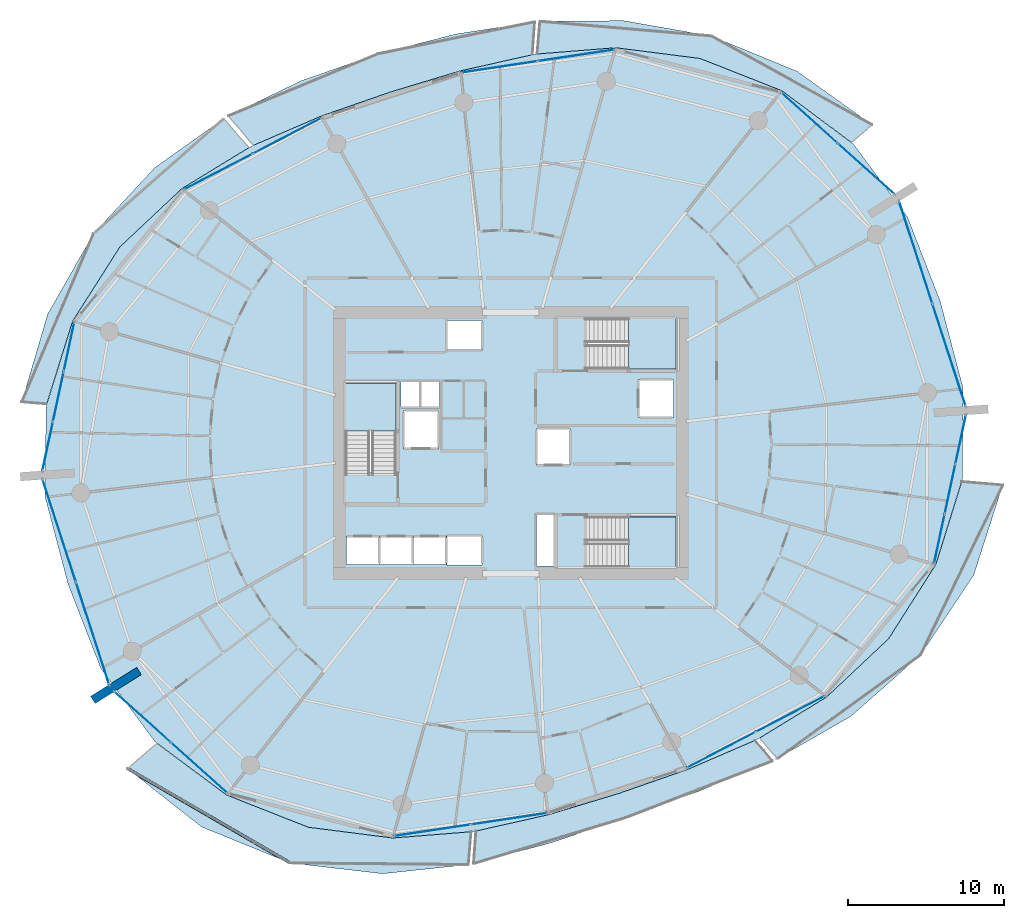
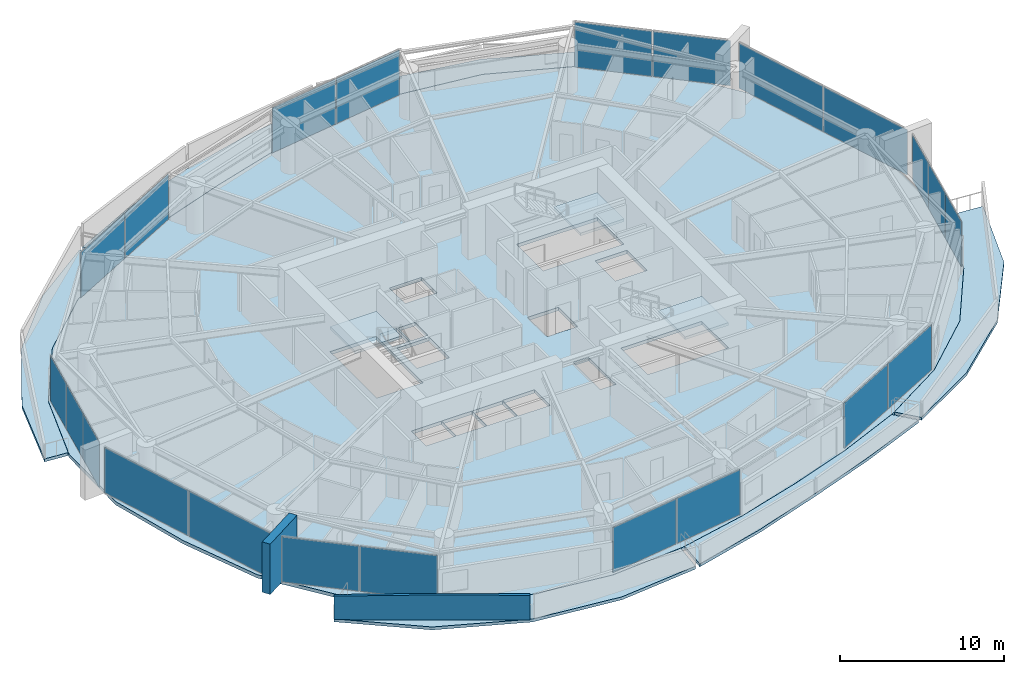
# One storey, part 10 of 23: 22 plates, 10 slabs, 2 walls, 13 elements without a shape of their own.
"""IFC4 building model written with IfcOpenShell, lengths in metres."""

from ifc_helpers import new_model, si_unit, direction, frame, frame_2d, origin, origin_2d, place, context, subcontext, project, spatial, polyline, rectangle, outline, extrude, material, layer, layer_set, type_object, element, aggregate, save


model = new_model("IFC4")

# Units and contexts
model_context = context("Model", 3, precision=1e-05, world=origin(), true_north=direction((0.0, 1.0)))
body_context = subcontext(model_context, "Body", "Model", "MODEL_VIEW")
ifc_project = project(units=[si_unit("LENGTHUNIT", "METRE"), si_unit("AREAUNIT", "SQUARE_METRE"), si_unit("VOLUMEUNIT", "CUBIC_METRE"), si_unit("PLANEANGLEUNIT", "RADIAN"), si_unit("MASSUNIT", "GRAM", prefix="KILO")], contexts=[model_context])

# Site, building, storey
site_placement = place(None, origin())
site = spatial("IfcSite", under=ifc_project, at=site_placement, CompositionType="ELEMENT")
building_placement = place(site_placement, origin())
building = spatial("IfcBuilding", under=site, at=building_placement, Name="Kazma Halo Residences", CompositionType="ELEMENT")
storey_placement = place(building_placement, frame((0.0, 0.0, 86.39990234375)))
storey = spatial("IfcBuildingStorey", under=building, at=storey_placement, Name="L21", CompositionType="ELEMENT", Elevation=86.39990234375)

# Curtain wall, plates
ifc_material_1 = material(Name="Aluminium AW-6063 T6 and Triple-Silver Low-E Glass", Category="aluminium")
ifc_layer_1 = layer(ifc_material_1, 0.199951171875)
ifc_layer_set_1 = layer_set([ifc_layer_1], Name="Aluminium AW-6063 T6 and Triple-Silver Low-E Glass")
curtain_wall_type = type_object("IfcCurtainWallType", Name="CW-SYS-3", PredefinedType="NOTDEFINED", material=ifc_layer_set_1)
curtain_wall_1_placement = place(storey_placement, origin())
curtain_wall_1 = element("IfcCurtainWall", 1, at=curtain_wall_1_placement, inside=storey, type_object=curtain_wall_type, Name="L21 unitised curtain wall B01", PredefinedType="NOTDEFINED")
ifc_material_2 = material(Name="Clear Triple-Silver Low-E Glass IGU", Category="glass")
ifc_layer_2 = layer(ifc_material_2, 0.030029296875)
ifc_layer_set_2 = layer_set([ifc_layer_2], Name="Clear Triple-Silver Low-E Glass IGU")
plate_type = type_object("IfcPlateType", Name="CW-SYS-3-PNL", PredefinedType="CURTAIN_PANEL", material=ifc_layer_set_2)
plate_1_placement = place(storey_placement, frame((71.251220703125, 59.614013671875, 0.06982421875), z_axis=(0.0, 0.0, 1.0), x_axis=(-0.744345279359, 0.667794957375, 0.0)))
plate_1 = element("IfcPlate", 2, at=plate_1_placement, type_object=plate_type, Name="CWS-3 panel 1.1", PredefinedType="CURTAIN_PANEL", context=body_context, shape_type="SweptSolid", body=[
    extrude(rectangle(XDim=4.81982421875, YDim=0.030029296875, at=origin_2d()), origin(), (0.0, 0.0, 1.0), 3.360107421875),
])
plate_2_placement = place(storey_placement, frame((67.611572265625, 62.87939453125, 0.06982421875), z_axis=(0.0, 0.0, 1.0), x_axis=(-0.744345279359, 0.667794957375, 0.0)))
plate_2 = element("IfcPlate", 3, at=plate_2_placement, type_object=plate_type, Name="CWS-3 panel 2.1", PredefinedType="CURTAIN_PANEL", context=body_context, shape_type="SweptSolid", body=[
    extrude(rectangle(XDim=4.81982421875, YDim=0.030029296875, at=origin_2d()), origin(), (0.0, 0.0, 1.0), 3.360107421875),
])
aggregate(curtain_wall_1, [plate_1, plate_2])

curtain_wall_2_placement = place(storey_placement, origin())
curtain_wall_2 = element("IfcCurtainWall", 4, at=curtain_wall_2_placement, inside=storey, type_object=curtain_wall_type, Name="L21 unitised curtain wall B03", PredefinedType="NOTDEFINED")
plate_3_placement = place(storey_placement, frame((52.625732421875, 66.900390625, 0.06982421875), z_axis=(0.0, 0.0, 1.0), x_axis=(-0.988879747814, -0.148717330409, 0.0)))
plate_3 = element("IfcPlate", 5, at=plate_3_placement, type_object=plate_type, Name="CWS-3 panel 1.1", PredefinedType="CURTAIN_PANEL", context=body_context, shape_type="SweptSolid", body=[
    extrude(rectangle(XDim=4.922607421875, YDim=0.030029296875, at=origin_2d()), origin(), (0.0, 0.0, 1.0), 3.360107421875),
])
plate_4_placement = place(storey_placement, frame((47.6884765625, 66.157958984375, 0.06982421875), z_axis=(0.0, 0.0, 1.0), x_axis=(-0.988879747814, -0.148717330409, 0.0)))
plate_4 = element("IfcPlate", 6, at=plate_4_placement, type_object=plate_type, Name="CWS-3 panel 2.1", PredefinedType="CURTAIN_PANEL", context=body_context, shape_type="SweptSolid", body=[
    extrude(rectangle(XDim=4.922607421875, YDim=0.030029296875, at=origin_2d()), origin(), (0.0, 0.0, 1.0), 3.360107421875),
])
aggregate(curtain_wall_2, [plate_3, plate_4])

curtain_wall_3_placement = place(storey_placement, origin())
curtain_wall_3 = element("IfcCurtainWall", 7, at=curtain_wall_3_placement, inside=storey, type_object=curtain_wall_type, Name="L21 unitised curtain wall B05", PredefinedType="NOTDEFINED")
plate_5_placement = place(storey_placement, frame((34.052490234375, 61.727294921875, 0.06982421875), z_axis=(0.0, 0.0, 1.0), x_axis=(-0.887435374749, -0.460932159481, 0.0)))
plate_5 = element("IfcPlate", 8, at=plate_5_placement, type_object=plate_type, Name="CWS-3 panel 1.1", PredefinedType="CURTAIN_PANEL", context=body_context, shape_type="SweptSolid", body=[
    extrude(rectangle(XDim=4.9228515625, YDim=0.030029296875, at=origin_2d()), origin(), (0.0, 0.0, 1.0), 3.360107421875),
])
plate_6_placement = place(storey_placement, frame((29.62158203125, 59.426025390625, 0.06982421875), z_axis=(0.0, 0.0, 1.0), x_axis=(-0.887435374749, -0.460932159481, 0.0)))
plate_6 = element("IfcPlate", 9, at=plate_6_placement, type_object=plate_type, Name="CWS-3 panel 2.1", PredefinedType="CURTAIN_PANEL", context=body_context, shape_type="SweptSolid", body=[
    extrude(rectangle(XDim=4.9228515625, YDim=0.030029296875, at=origin_2d()), origin(), (0.0, 0.0, 1.0), 3.360107421875),
])
aggregate(curtain_wall_3, [plate_5, plate_6])

curtain_wall_4_placement = place(storey_placement, origin())
curtain_wall_4 = element("IfcCurtainWall", 10, at=curtain_wall_4_placement, inside=storey, type_object=curtain_wall_type, Name="L21 unitised curtain wall B07", PredefinedType="NOTDEFINED")
plate_7_placement = place(storey_placement, frame((20.033447265625, 48.1669921875, 0.06982421875), z_axis=(0.0, 0.0, 1.0), x_axis=(-0.209660822677, -0.977774176093, 0.0)))
plate_7 = element("IfcPlate", 11, at=plate_7_placement, type_object=plate_type, Name="CWS-3 panel 1.1", PredefinedType="CURTAIN_PANEL", context=body_context, shape_type="SweptSolid", body=[
    extrude(rectangle(XDim=3.17822265625, YDim=0.030029296875, at=origin_2d()), origin(), (0.0, 0.0, 1.0), 3.360107421875),
])
plate_8_placement = place(storey_placement, frame((19.3486328125, 44.973876953125, 0.06982421875), z_axis=(0.0, 0.0, 1.0), x_axis=(-0.209660822677, -0.977774176093, 0.0)))
plate_8 = element("IfcPlate", 12, at=plate_8_placement, type_object=plate_type, Name="CWS-3 panel 2.1", PredefinedType="CURTAIN_PANEL", context=body_context, shape_type="SweptSolid", body=[
    extrude(rectangle(XDim=3.213134765625, YDim=0.030029296875, at=origin_2d()), origin(), (0.0, 0.0, 1.0), 3.360107421875),
])
plate_9_placement = place(storey_placement, frame((18.6640625, 41.78076171875, 0.06982421875), z_axis=(0.0, 0.0, 1.0), x_axis=(-0.209660822677, -0.977774176093, 0.0)))
plate_9 = element("IfcPlate", 13, at=plate_9_placement, type_object=plate_type, Name="CWS-3 panel 3.1", PredefinedType="CURTAIN_PANEL", context=body_context, shape_type="SweptSolid", body=[
    extrude(rectangle(XDim=3.17822265625, YDim=0.030029296875, at=origin_2d()), origin(), (0.0, 0.0, 1.0), 3.360107421875),
])
aggregate(curtain_wall_4, [plate_7, plate_8, plate_9])

curtain_wall_5_placement = place(storey_placement, origin())
curtain_wall_5 = element("IfcCurtainWall", 14, at=curtain_wall_5_placement, inside=storey, type_object=curtain_wall_type, Name="L21 unitised curtain wall B08", PredefinedType="NOTDEFINED")
plate_10_placement = place(storey_placement, frame((19.40673828125, 36.357421875, 0.06982421875), z_axis=(0.0, 0.0, 1.0), x_axis=(0.309013282008, -0.951057722508, 0.0)))
plate_10 = element("IfcPlate", 15, at=plate_10_placement, type_object=plate_type, Name="CWS-3 panel 1.1", PredefinedType="CURTAIN_PANEL", context=body_context, shape_type="SweptSolid", body=[
    extrude(rectangle(XDim=6.868896484375, YDim=0.030029296875, at=origin_2d()), origin(), (0.0, 0.0, 1.0), 3.360107421875),
])
plate_11_placement = place(storey_placement, frame((21.551025390625, 29.758056640625, 0.06982421875), z_axis=(0.0, 0.0, 1.0), x_axis=(0.309013282008, -0.951057722508, 0.0)))
plate_11 = element("IfcPlate", 16, at=plate_11_placement, type_object=plate_type, Name="CWS-3 panel 2.1", PredefinedType="CURTAIN_PANEL", context=body_context, shape_type="SweptSolid", body=[
    extrude(rectangle(XDim=6.868896484375, YDim=0.030029296875, at=origin_2d()), origin(), (0.0, 0.0, 1.0), 3.360107421875),
])
aggregate(curtain_wall_5, [plate_10, plate_11])

curtain_wall_6_placement = place(storey_placement, origin())
curtain_wall_6 = element("IfcCurtainWall", 17, at=curtain_wall_6_placement, inside=storey, type_object=curtain_wall_type, Name="L21 unitised curtain wall B09", PredefinedType="NOTDEFINED")
plate_12_placement = place(storey_placement, frame((24.748779296875, 24.385986328125, 0.06982421875), z_axis=(0.0, 0.0, 1.0), x_axis=(0.744345279359, -0.667794957375, 0.0)))
plate_12 = element("IfcPlate", 18, at=plate_12_placement, type_object=plate_type, Name="CWS-3 panel 1.1", PredefinedType="CURTAIN_PANEL", context=body_context, shape_type="SweptSolid", body=[
    extrude(rectangle(XDim=4.81982421875, YDim=0.030029296875, at=origin_2d()), origin(), (0.0, 0.0, 1.0), 3.360107421875),
])
plate_13_placement = place(storey_placement, frame((28.388427734375, 21.12060546875, 0.06982421875), z_axis=(0.0, 0.0, 1.0), x_axis=(0.744345279359, -0.667794957375, 0.0)))
plate_13 = element("IfcPlate", 19, at=plate_13_placement, type_object=plate_type, Name="CWS-3 panel 2.1", PredefinedType="CURTAIN_PANEL", context=body_context, shape_type="SweptSolid", body=[
    extrude(rectangle(XDim=4.81982421875, YDim=0.030029296875, at=origin_2d()), origin(), (0.0, 0.0, 1.0), 3.360107421875),
])
aggregate(curtain_wall_6, [plate_12, plate_13])

curtain_wall_7_placement = place(storey_placement, origin())
curtain_wall_7 = element("IfcCurtainWall", 20, at=curtain_wall_7_placement, inside=storey, type_object=curtain_wall_type, Name="L21 unitised curtain wall B11", PredefinedType="NOTDEFINED")
plate_14_placement = place(storey_placement, frame((43.374267578125, 17.099609375, 0.06982421875), z_axis=(0.0, 0.0, 1.0), x_axis=(0.988879747814, 0.148717330409, 0.0)))
plate_14 = element("IfcPlate", 21, at=plate_14_placement, type_object=plate_type, Name="CWS-3 panel 1.1", PredefinedType="CURTAIN_PANEL", context=body_context, shape_type="SweptSolid", body=[
    extrude(rectangle(XDim=4.922607421875, YDim=0.030029296875, at=origin_2d()), origin(), (0.0, 0.0, 1.0), 3.360107421875),
])
plate_15_placement = place(storey_placement, frame((48.3115234375, 17.842041015625, 0.06982421875), z_axis=(0.0, 0.0, 1.0), x_axis=(0.988879747814, 0.148717330409, 0.0)))
plate_15 = element("IfcPlate", 22, at=plate_15_placement, type_object=plate_type, Name="CWS-3 panel 2.1", PredefinedType="CURTAIN_PANEL", context=body_context, shape_type="SweptSolid", body=[
    extrude(rectangle(XDim=4.922607421875, YDim=0.030029296875, at=origin_2d()), origin(), (0.0, 0.0, 1.0), 3.360107421875),
])
aggregate(curtain_wall_7, [plate_14, plate_15])

curtain_wall_8_placement = place(storey_placement, origin())
curtain_wall_8 = element("IfcCurtainWall", 23, at=curtain_wall_8_placement, inside=storey, type_object=curtain_wall_type, Name="L21 unitised curtain wall B13", PredefinedType="NOTDEFINED")
plate_16_placement = place(storey_placement, frame((61.947509765625, 22.272705078125, 0.06982421875), z_axis=(0.0, 0.0, 1.0), x_axis=(0.887435374749, 0.460932159481, 0.0)))
plate_16 = element("IfcPlate", 24, at=plate_16_placement, type_object=plate_type, Name="CWS-3 panel 1.1", PredefinedType="CURTAIN_PANEL", context=body_context, shape_type="SweptSolid", body=[
    extrude(rectangle(XDim=4.9228515625, YDim=0.030029296875, at=origin_2d()), origin(), (0.0, 0.0, 1.0), 3.360107421875),
])
plate_17_placement = place(storey_placement, frame((66.37841796875, 24.573974609375, 0.06982421875), z_axis=(0.0, 0.0, 1.0), x_axis=(0.887435374749, 0.460932159481, 0.0)))
plate_17 = element("IfcPlate", 25, at=plate_17_placement, type_object=plate_type, Name="CWS-3 panel 2.1", PredefinedType="CURTAIN_PANEL", context=body_context, shape_type="SweptSolid", body=[
    extrude(rectangle(XDim=4.9228515625, YDim=0.030029296875, at=origin_2d()), origin(), (0.0, 0.0, 1.0), 3.360107421875),
])
aggregate(curtain_wall_8, [plate_16, plate_17])

curtain_wall_9_placement = place(storey_placement, origin())
curtain_wall_9 = element("IfcCurtainWall", 26, at=curtain_wall_9_placement, inside=storey, type_object=curtain_wall_type, Name="L21 unitised curtain wall B15", PredefinedType="NOTDEFINED")
plate_18_placement = place(storey_placement, frame((75.966552734375, 35.8330078125, 0.06982421875), z_axis=(0.0, 0.0, 1.0), x_axis=(0.209660822677, 0.977774176093, 0.0)))
plate_18 = element("IfcPlate", 27, at=plate_18_placement, type_object=plate_type, Name="CWS-3 panel 1.1", PredefinedType="CURTAIN_PANEL", context=body_context, shape_type="SweptSolid", body=[
    extrude(rectangle(XDim=3.17822265625, YDim=0.030029296875, at=origin_2d()), origin(), (0.0, 0.0, 1.0), 3.360107421875),
])
plate_19_placement = place(storey_placement, frame((76.6513671875, 39.026123046875, 0.06982421875), z_axis=(0.0, 0.0, 1.0), x_axis=(0.209660822677, 0.977774176093, 0.0)))
plate_19 = element("IfcPlate", 28, at=plate_19_placement, type_object=plate_type, Name="CWS-3 panel 2.1", PredefinedType="CURTAIN_PANEL", context=body_context, shape_type="SweptSolid", body=[
    extrude(rectangle(XDim=3.213134765625, YDim=0.030029296875, at=origin_2d()), origin(), (0.0, 0.0, 1.0), 3.360107421875),
])
plate_20_placement = place(storey_placement, frame((77.3359375, 42.21923828125, 0.06982421875), z_axis=(0.0, 0.0, 1.0), x_axis=(0.209660822677, 0.977774176093, 0.0)))
plate_20 = element("IfcPlate", 29, at=plate_20_placement, type_object=plate_type, Name="CWS-3 panel 3.1", PredefinedType="CURTAIN_PANEL", context=body_context, shape_type="SweptSolid", body=[
    extrude(rectangle(XDim=3.17822265625, YDim=0.030029296875, at=origin_2d()), origin(), (0.0, 0.0, 1.0), 3.360107421875),
])
aggregate(curtain_wall_9, [plate_18, plate_19, plate_20])

curtain_wall_10_placement = place(storey_placement, origin())
curtain_wall_10 = element("IfcCurtainWall", 30, at=curtain_wall_10_placement, inside=storey, type_object=curtain_wall_type, Name="L21 unitised curtain wall B16", PredefinedType="NOTDEFINED")
plate_21_placement = place(storey_placement, frame((76.59326171875, 47.642578125, 0.06982421875), z_axis=(0.0, 0.0, 1.0), x_axis=(-0.309013282008, 0.951057722508, 0.0)))
plate_21 = element("IfcPlate", 31, at=plate_21_placement, type_object=plate_type, Name="CWS-3 panel 1.1", PredefinedType="CURTAIN_PANEL", context=body_context, shape_type="SweptSolid", body=[
    extrude(rectangle(XDim=6.868896484375, YDim=0.030029296875, at=origin_2d()), origin(), (0.0, 0.0, 1.0), 3.360107421875),
])
plate_22_placement = place(storey_placement, frame((74.448974609375, 54.241943359375, 0.06982421875), z_axis=(0.0, 0.0, 1.0), x_axis=(-0.309013282008, 0.951057722508, 0.0)))
plate_22 = element("IfcPlate", 32, at=plate_22_placement, type_object=plate_type, Name="CWS-3 panel 2.1", PredefinedType="CURTAIN_PANEL", context=body_context, shape_type="SweptSolid", body=[
    extrude(rectangle(XDim=6.868896484375, YDim=0.030029296875, at=origin_2d()), origin(), (0.0, 0.0, 1.0), 3.360107421875),
])
aggregate(curtain_wall_10, [plate_21, plate_22])

# Slabs
ifc_material_3 = material(Name="White Concrete C50/60", Category="concrete")
ifc_layer_3 = layer(ifc_material_3, 0.219970703125)
ifc_layer_set_3 = layer_set([ifc_layer_3], Name="White Concrete C50/60")
slab_type_1 = type_object("IfcSlabType", Name="SLB-BAL-WAVE-210", PredefinedType="FLOOR", material=ifc_layer_set_3)
slab_1_placement = place(storey_placement, frame((0.0, 0.0, -0.219970703125)))
element("IfcSlab", 33, at=slab_1_placement, inside=storey, type_object=slab_type_1, Name="L21 NE cantilevered wave balcony slab", PredefinedType="FLOOR", context=body_context, shape_type="SweptSolid", body=[
    extrude(outline(polyline([(70.323974609375, 61.303466796875), (65.841064453125, 64.63134765625), (60.5869140625, 66.702880859375), (55.161865234375, 67.394287109375), (50.12060546875, 66.992431640625), (50.298095703125, 69.085205078125), (55.653076171875, 69.135498046875), (61.321044921875, 68.144287109375), (66.82421875, 65.87841796875), (71.644287109375, 62.4453125), (70.323974609375, 61.303466796875)])), origin(), (0.0, 0.0, 1.0), 0.219970703125),
])
slab_2_placement = place(storey_placement, frame((0.0, 0.0, -0.219970703125)))
element("IfcSlab", 34, at=slab_2_placement, inside=storey, type_object=slab_type_1, Name="L21 NNW cantilevered wave balcony slab", PredefinedType="FLOOR", context=body_context, shape_type="SweptSolid", body=[
    extrude(outline(polyline([(49.81005859375, 66.94580078125), (45.1708984375, 65.902587890625), (40.675048828125, 64.544189453125), (36.239013671875, 63.00048828125), (31.872802734375, 61.11767578125), (30.274169921875, 63.012939453125), (34.96484375, 65.27587890625), (39.878173828125, 66.996337890625), (44.890380859375, 68.27294921875), (49.963134765625, 69.054931640625), (49.81005859375, 66.94580078125)])), origin(), (0.0, 0.0, 1.0), 0.219970703125),
])
slab_3_placement = place(storey_placement, frame((0.0, 0.0, -0.219970703125)))
element("IfcSlab", 35, at=slab_3_placement, inside=storey, type_object=slab_type_1, Name="L21 NW cantilevered wave balcony slab", PredefinedType="FLOOR", context=body_context, shape_type="SweptSolid", body=[
    extrude(outline(polyline([(31.59423828125, 60.972900390625), (27.279541015625, 58.334716796875), (23.297119140625, 54.5869140625), (20.263916015625, 49.822509765625), (18.59326171875, 44.4951171875), (16.998779296875, 44.630615234375), (18.660888671875, 50.2744140625), (21.60498046875, 55.448974609375), (25.55224609375, 59.6962890625), (29.978271484375, 62.841796875), (31.59423828125, 60.972900390625)])), origin(), (0.0, 0.0, 1.0), 0.219970703125),
])
slab_4_placement = place(storey_placement, frame((0.0, 0.0, -0.219970703125)))
element("IfcSlab", 36, at=slab_4_placement, inside=storey, type_object=slab_type_1, Name="L21 SW cantilevered wave balcony slab", PredefinedType="FLOOR", context=body_context, shape_type="SweptSolid", body=[
    extrude(outline(polyline([(25.676025390625, 22.696533203125), (30.158935546875, 19.36865234375), (35.4130859375, 17.297119140625), (40.838134765625, 16.605712890625), (45.87939453125, 17.007568359375), (45.7001953125, 14.895751953125), (40.190185546875, 14.308349609375), (34.24267578125, 14.999755859375), (28.544189453125, 17.320556640625), (23.789306640625, 21.06494140625), (25.676025390625, 22.696533203125)])), origin(), (0.0, 0.0, 1.0), 0.219970703125),
])
slab_5_placement = place(storey_placement, frame((0.0, 0.0, -0.219970703125)))
element("IfcSlab", 37, at=slab_5_placement, inside=storey, type_object=slab_type_1, Name="L21 SSE cantilevered wave balcony slab", PredefinedType="FLOOR", context=body_context, shape_type="SweptSolid", body=[
    extrude(outline(polyline([(46.18994140625, 17.05419921875), (50.8291015625, 18.097412109375), (55.324951171875, 19.455810546875), (59.760986328125, 20.99951171875), (64.127197265625, 22.88232421875), (65.2431640625, 21.559326171875), (60.536865234375, 19.614013671875), (55.824951171875, 17.91748046875), (51.041748046875, 16.30078125), (46.038330078125, 14.964111328125), (46.18994140625, 17.05419921875)])), origin(), (0.0, 0.0, 1.0), 0.219970703125),
])
slab_6_placement = place(storey_placement, frame((0.0, 0.0, -0.219970703125)))
element("IfcSlab", 38, at=slab_6_placement, inside=storey, type_object=slab_type_1, Name="L21 SE cantilevered wave balcony slab", PredefinedType="FLOOR", context=body_context, shape_type="SweptSolid", body=[
    extrude(outline(polyline([(64.40576171875, 23.027099609375), (68.720458984375, 25.665283203125), (72.702880859375, 29.4130859375), (75.736083984375, 34.177490234375), (77.40673828125, 39.5048828125), (80.037353515625, 39.281494140625), (78.17138671875, 33.49072265625), (74.74951171875, 28.370361328125), (70.28857421875, 24.42919921875), (65.5498046875, 21.704345703125), (64.40576171875, 23.027099609375)])), origin(), (0.0, 0.0, 1.0), 0.219970703125),
])
ifc_material_4 = material(Name="Concrete C50/60", Category="concrete")
ifc_layer_4 = layer(ifc_material_4, 0.25)
ifc_layer_set_4 = layer_set([ifc_layer_4], Name="Concrete C50/60")
slab_type_2 = type_object("IfcSlabType", Name="SLB-RES-250", PredefinedType="FLOOR", material=ifc_layer_set_4)
slab_7_placement = place(storey_placement, frame((0.0, 0.0, -0.25)))
element("IfcSlab", 39, at=slab_7_placement, inside=storey, type_object=slab_type_2, Name="L21 structural floor slab", PredefinedType="FLOOR", context=body_context, shape_type="SweptSolid", body=[
    extrude(outline(polyline([(76.02001953125, 51.104248046875), (73.918212890625, 56.514892578125), (70.459716796875, 61.182373046875), (65.83984375, 64.629638671875), (60.5859375, 66.701171875), (55.161376953125, 67.392333984375), (49.9658203125, 66.976806640625), (45.171142578125, 65.900634765625), (40.675537109375, 64.542236328125), (36.239990234375, 62.998779296875), (31.728759765625, 61.05126953125), (27.281005859375, 58.33349609375), (23.298828125, 54.5859375), (20.265869140625, 49.82177734375), (18.554443359375, 44.3173828125), (18.500244140625, 38.508544921875), (19.97998046875, 32.895751953125), (22.081787109375, 27.485107421875), (25.540283203125, 22.817626953125), (30.16015625, 19.370361328125), (35.4140625, 17.298828125), (40.838623046875, 16.607666015625), (46.0341796875, 17.023193359375), (50.828857421875, 18.099365234375), (55.324462890625, 19.457763671875), (59.760009765625, 21.001220703125), (64.271240234375, 22.94873046875), (68.718994140625, 25.66650390625), (72.701171875, 29.4140625), (75.734130859375, 34.17822265625), (77.445556640625, 39.6826171875), (77.499755859375, 45.491455078125), (76.02001953125, 51.104248046875)]), holes=[polyline([(37.800048828125, 40.110107421875), (41.050048828125, 40.110107421875), (41.050048828125, 45.800048828125), (37.800048828125, 45.800048828125), (37.800048828125, 40.110107421875)]), polyline([(53.360107421875, 46.75), (59.050048828125, 46.75), (59.050048828125, 50.0), (53.360107421875, 50.0), (53.360107421875, 46.75)]), polyline([(53.360107421875, 34.0), (59.050048828125, 34.0), (59.050048828125, 37.25), (53.360107421875, 37.25), (53.360107421875, 34.0)]), polyline([(41.52001953125, 41.6201171875), (43.780029296875, 41.6201171875), (43.780029296875, 44.080078125), (41.52001953125, 44.080078125), (41.52001953125, 41.6201171875)]), polyline([(56.6201171875, 43.6201171875), (58.8798828125, 43.6201171875), (58.8798828125, 46.080078125), (56.6201171875, 46.080078125), (56.6201171875, 43.6201171875)]), polyline([(37.864990234375, 34.195068359375), (39.97509765625, 34.195068359375), (39.97509765625, 36.0048828125), (37.864990234375, 36.0048828125), (37.864990234375, 34.195068359375)]), polyline([(40.014892578125, 34.195068359375), (42.125, 34.195068359375), (42.125, 36.0048828125), (40.014892578125, 36.0048828125), (40.014892578125, 34.195068359375)]), polyline([(42.1650390625, 34.195068359375), (44.27490234375, 34.195068359375), (44.27490234375, 36.0048828125), (42.1650390625, 36.0048828125), (42.1650390625, 34.195068359375)]), polyline([(44.320068359375, 47.945068359375), (46.580078125, 47.945068359375), (46.580078125, 49.85498046875), (44.320068359375, 49.85498046875), (44.320068359375, 47.945068359375)]), polyline([(44.320068359375, 34.14501953125), (46.580078125, 34.14501953125), (46.580078125, 36.054931640625), (44.320068359375, 36.054931640625), (44.320068359375, 34.14501953125)]), polyline([(50.070068359375, 40.570068359375), (52.22998046875, 40.570068359375), (52.22998046875, 42.929931640625), (50.070068359375, 42.929931640625), (50.070068359375, 40.570068359375)]), polyline([(41.360107421875, 44.340087890625), (42.5400390625, 44.340087890625), (42.5400390625, 45.89990234375), (41.360107421875, 45.89990234375), (41.360107421875, 44.340087890625)]), polyline([(42.659912109375, 44.340087890625), (43.840087890625, 44.340087890625), (43.840087890625, 45.89990234375), (42.659912109375, 45.89990234375), (42.659912109375, 44.340087890625)]), polyline([(50.06005859375, 34.080078125), (51.159912109375, 34.080078125), (51.159912109375, 37.3798828125), (50.06005859375, 37.3798828125), (50.06005859375, 34.080078125)])]), origin(), (0.0, 0.0, 1.0), 0.25),
])

# Stair, slab
stair_type = type_object("IfcStairType", Name="STR-RES1", PredefinedType="HALF_TURN_STAIR", material=ifc_material_4)
stair_1_placement = place(storey_placement, origin())
stair_1 = element("IfcStair", 40, at=stair_1_placement, inside=storey, type_object=stair_type, Name="L21 Core exit stair ST-01", PredefinedType="HALF_TURN_STAIR")
ifc_layer_5 = layer(ifc_material_4, 0.199951171875)
ifc_layer_set_5 = layer_set([ifc_layer_5], Name="Concrete C50/60")
slab_type_3 = type_object("IfcSlabType", Name="SLB-STAIR-LND-200", PredefinedType="LANDING", material=ifc_layer_set_5)
slab_8_placement = place(storey_placement, frame((0.0, 0.0, 1.675048828125)))
slab_8 = element("IfcSlab", 41, at=slab_8_placement, type_object=slab_type_3, Name="ST-01 landing 1", PredefinedType="LANDING", context=body_context, shape_type="SweptSolid", body=[
    extrude(outline(polyline([(41.050048828125, 42.75), (41.050048828125, 45.800048828125), (37.800048828125, 45.800048828125), (37.800048828125, 42.75), (41.050048828125, 42.75)])), origin(), (0.0, 0.0, 1.0), 0.199951171875),
])
aggregate(stair_1, [slab_8])

stair_2_placement = place(storey_placement, origin())
stair_2 = element("IfcStair", 42, at=stair_2_placement, inside=storey, type_object=stair_type, Name="L21 Core exit stair ST-02", PredefinedType="HALF_TURN_STAIR")
slab_9_placement = place(storey_placement, frame((0.0, 0.0, 1.675048828125)))
slab_9 = element("IfcSlab", 43, at=slab_9_placement, type_object=slab_type_3, Name="ST-02 landing 1", PredefinedType="LANDING", context=body_context, shape_type="SweptSolid", body=[
    extrude(outline(polyline([(56.0, 46.75), (59.050048828125, 46.75), (59.050048828125, 50.0), (56.0, 50.0), (56.0, 46.75)])), origin(), (0.0, 0.0, 1.0), 0.199951171875),
])
aggregate(stair_2, [slab_9])

stair_3_placement = place(storey_placement, origin())
stair_3 = element("IfcStair", 44, at=stair_3_placement, inside=storey, type_object=stair_type, Name="L21 Core exit stair ST-03", PredefinedType="HALF_TURN_STAIR")
slab_10_placement = place(storey_placement, frame((0.0, 0.0, 1.675048828125)))
slab_10 = element("IfcSlab", 45, at=slab_10_placement, type_object=slab_type_3, Name="ST-03 landing 1", PredefinedType="LANDING", context=body_context, shape_type="SweptSolid", body=[
    extrude(outline(polyline([(56.0, 34.0), (59.050048828125, 34.0), (59.050048828125, 37.25), (56.0, 37.25), (56.0, 34.0)])), origin(), (0.0, 0.0, 1.0), 0.199951171875),
])
aggregate(stair_3, [slab_10])

# Walls
ifc_material_5 = material(Name="White Concrete C50/60 Balustrade", Category="concrete")
ifc_layer_6 = layer(ifc_material_5, 0.179931640625)
ifc_layer_set_6 = layer_set([ifc_layer_6], Name="White Concrete C50/60 Balustrade")
wall_type_1 = type_object("IfcWallType", Name="WL-BAL-WAVE-180", PredefinedType="PARAPET", material=ifc_layer_set_6)
wall_1_placement = place(storey_placement, frame((23.789306640625, 21.06494140625, 0.0), z_axis=(0.0, 0.0, 1.0), x_axis=(0.864945812977, -0.501865261413, 0.0)))
element("IfcWall", 46, at=wall_1_placement, inside=storey, type_object=wall_type_1, Name="L21 white wave balustrade wall SW.1", PredefinedType="PARAPET", context=body_context, shape_type="SweptSolid", body=[
    extrude(outline(polyline([(0.0, 0.0), (11.965576171875, 0.0), (11.965576171875, 1.83203125), (5.98291015625, 1.85302734375), (0.0, 1.756103515625), (0.0, 0.0)])), frame((0.0, 0.08984375, 0.0), z_axis=(0.0, -1.0, 0.0), x_axis=(1.0, 0.0, 0.0)), (0.0, 0.0, 1.0), 0.179931640625),
])
ifc_material_6 = material(Name="Pale Concrete C60/75", Category="concrete")
ifc_layer_7 = layer(ifc_material_6, 0.550048828125)
ifc_layer_set_7 = layer_set([ifc_layer_7], Name="Pale Concrete C60/75")
wall_type_2 = type_object("IfcWallType", Name="WL-BLADE-550", PredefinedType="SOLIDWALL", material=ifc_layer_set_7)
wall_2_placement = place(storey_placement, frame((24.531494140625, 27.335205078125, 0.0), z_axis=(0.0, 0.0, 1.0), x_axis=(-0.848053161125, -0.529911158502, 0.0)))
element("IfcWall", 47, at=wall_2_placement, inside=storey, type_object=wall_type_2, Name="L21 pale concrete structural blade fin wall BW-03", PredefinedType="SOLIDWALL", context=body_context, shape_type="SweptSolid", body=[
    extrude(rectangle(XDim=3.5, YDim=0.550048828125, at=frame_2d((1.75, 0.0))), origin(), (0.0, 0.0, 1.0), 3.75),
])

save(model, "model.ifc")
